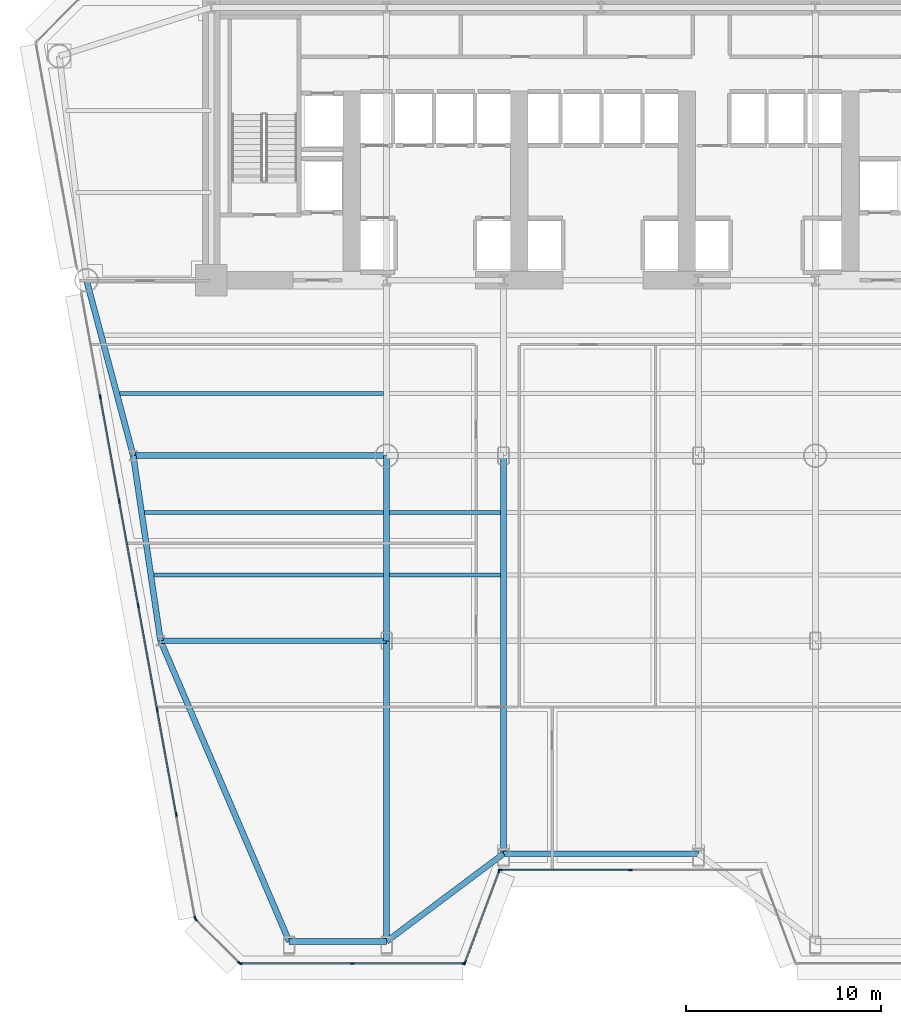
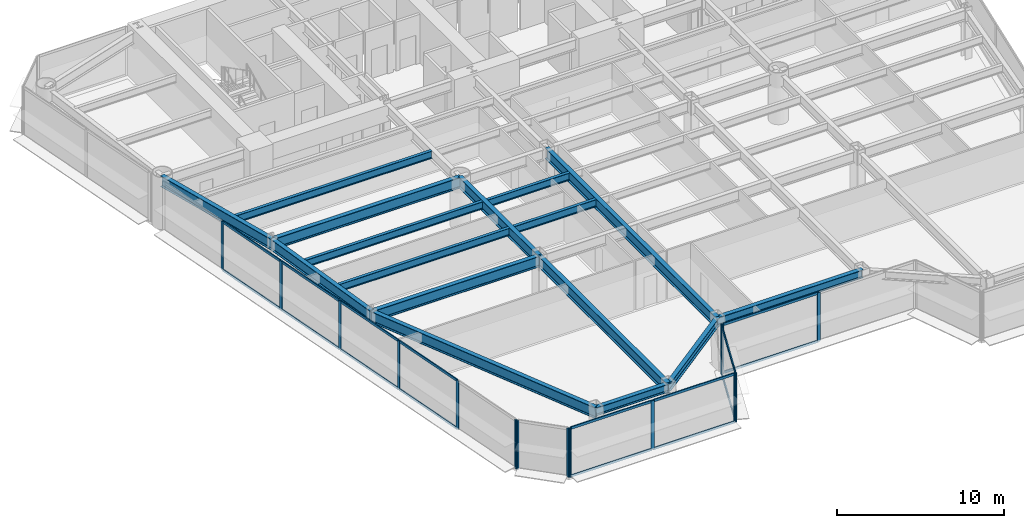
# One storey, part 2 of 14: 31 members, 16 beams, 5 elements without a shape of their own.
"""IFC4 building model written with IfcOpenShell, lengths in metres."""

from ifc_helpers import new_model, si_unit, direction, frame, origin, origin_2d, place, context, subcontext, project, spatial, rectangle, i_section, extrude, source, transform, mapped, material, layer, layer_set, material_profile, profile_set, type_object, element, aggregate, save


model = new_model("IFC4")

# Units and contexts
model_context = context("Model", 3, precision=1e-05, world=origin(), true_north=direction((0.0, 1.0)))
body_context = subcontext(model_context, "Body", "Model", "MODEL_VIEW")
ifc_project = project(units=[si_unit("LENGTHUNIT", "METRE"), si_unit("AREAUNIT", "SQUARE_METRE"), si_unit("VOLUMEUNIT", "CUBIC_METRE"), si_unit("PLANEANGLEUNIT", "RADIAN"), si_unit("MASSUNIT", "GRAM", prefix="KILO")], contexts=[model_context])

# Site, building, storey
site_placement = place(None, origin())
site = spatial("IfcSite", under=ifc_project, at=site_placement, CompositionType="ELEMENT")
building_placement = place(site_placement, origin())
building = spatial("IfcBuilding", under=site, at=building_placement, Name="Vaeldorn Concourse Tower", CompositionType="ELEMENT")
storey_placement = place(building_placement, frame((0.0, 0.0, 41.60009765625)))
storey = spatial("IfcBuildingStorey", under=building, at=storey_placement, Name="L10", CompositionType="ELEMENT", Elevation=41.60009765625)

# Beams
ifc_material_1 = material(Name="Steel S355", Category="steel")
ifc_material_profile_1 = material_profile(ifc_material_1, i_section(OverallWidth=0.300048828125, OverallDepth=0.800048828125, WebThickness=0.017578125, FlangeThickness=0.032958984375, FilletRadius=0.030029296875, at=origin_2d()), Name="HEB 800")
ifc_profile_set_1 = profile_set([ifc_material_profile_1], Name="Steel S355")
beam_type_1 = type_object("IfcBeamType", Name="BM-PG-HEB800", PredefinedType="BEAM", material=ifc_profile_set_1)
shared_shape_1 = source(origin(), body_context, "Body", "SweptSolid", [
    extrude(i_section(OverallWidth=0.300048828125, OverallDepth=0.800048828125, WebThickness=0.017578125, FlangeThickness=0.032958984375, FilletRadius=0.030029296875, at=origin_2d()), origin(), (0.0, 0.0, 1.0), 9.314453125),
])
beam_1_placement = place(storey_placement, frame((7.60009765625, 36.5, 3.179931640625), z_axis=(0.257652862255, -0.966237549763, 0.0), x_axis=(0.966237549763, 0.257652862255, 0.0)))
element("IfcBeam", 1, at=beam_1_placement, inside=storey, type_object=beam_type_1, Name="Beam BM-L10-C-NW2-C-FLW1", PredefinedType="BEAM", context=body_context, shape_type="MappedRepresentation", body=[
    mapped(shared_shape_1, transform((0.0, 0.0, 0.0), scale=1.0)),
])
shared_shape_2 = source(origin(), body_context, "Body", "SweptSolid", [
    extrude(i_section(OverallWidth=0.300048828125, OverallDepth=0.800048828125, WebThickness=0.017578125, FlangeThickness=0.032958984375, FilletRadius=0.030029296875, at=origin_2d()), origin(), (0.0, 0.0, 1.0), 13.0),
])
beam_2_placement = place(storey_placement, frame((10.0, 27.5, 3.179931640625), z_axis=(1.0, 0.0, 0.0), x_axis=(0.0, 1.0, 0.0)))
element("IfcBeam", 2, at=beam_2_placement, inside=storey, type_object=beam_type_1, Name="Beam BM-L10-C-FLW1-C-TW1", PredefinedType="BEAM", context=body_context, shape_type="MappedRepresentation", body=[
    mapped(shared_shape_2, transform((0.0, 0.0, 0.0), scale=1.0)),
])
ifc_material_profile_2 = material_profile(ifc_material_1, i_section(OverallWidth=0.300048828125, OverallDepth=0.60009765625, WebThickness=0.015380859375, FlangeThickness=0.030029296875, FilletRadius=0.027099609375, at=origin_2d()), Name="HEB 600")
ifc_profile_set_2 = profile_set([ifc_material_profile_2], Name="Steel S355")
beam_type_2 = type_object("IfcBeamType", Name="BM-SP-HEB600", PredefinedType="SPANDREL", material=ifc_profile_set_2)
shared_shape_3 = source(origin(), body_context, "Body", "SweptSolid", [
    extrude(i_section(OverallWidth=0.300048828125, OverallDepth=0.60009765625, WebThickness=0.015380859375, FlangeThickness=0.030029296875, FilletRadius=0.027099609375, at=origin_2d()), origin(), (0.0, 0.0, 1.0), 5.0),
])
beam_3_placement = place(storey_placement, frame((18.0, 2.573486328125, 3.27978515625), z_axis=(1.0, 0.0, 0.0), x_axis=(0.0, 1.0, 0.0)))
element("IfcBeam", 3, at=beam_3_placement, inside=storey, type_object=beam_type_2, Name="Beam BM-L10-C-SF1-C-SF2", PredefinedType="SPANDREL", context=body_context, shape_type="MappedRepresentation", body=[
    mapped(shared_shape_3, transform((0.0, 0.0, 0.0), scale=1.0)),
])
shared_shape_4 = source(origin(), body_context, "Body", "SweptSolid", [
    extrude(i_section(OverallWidth=0.300048828125, OverallDepth=0.60009765625, WebThickness=0.015380859375, FlangeThickness=0.030029296875, FilletRadius=0.027099609375, at=origin_2d()), origin(), (0.0, 0.0, 1.0), 7.5),
])
beam_4_placement = place(storey_placement, frame((23.0, 2.573486328125, 3.27978515625), z_axis=(0.8, 0.6, 0.0), x_axis=(-0.6, 0.8, 0.0)))
element("IfcBeam", 4, at=beam_4_placement, inside=storey, type_object=beam_type_2, Name="Beam BM-L10-C-SF2-C-SF3", PredefinedType="SPANDREL", context=body_context, shape_type="MappedRepresentation", body=[
    mapped(shared_shape_4, transform((0.0, 0.0, 0.0), scale=1.0)),
])
shared_shape_5 = source(origin(), body_context, "Body", "SweptSolid", [
    extrude(i_section(OverallWidth=0.300048828125, OverallDepth=0.60009765625, WebThickness=0.015380859375, FlangeThickness=0.030029296875, FilletRadius=0.027099609375, at=origin_2d()), origin(), (0.0, 0.0, 1.0), 10.0),
])
beam_5_placement = place(storey_placement, frame((29.0, 7.073486328125, 3.27978515625), z_axis=(1.0, 0.0, 0.0), x_axis=(0.0, 1.0, 0.0)))
element("IfcBeam", 5, at=beam_5_placement, inside=storey, type_object=beam_type_2, Name="Beam BM-L10-C-SF3-C-SF4", PredefinedType="SPANDREL", context=body_context, shape_type="MappedRepresentation", body=[
    mapped(shared_shape_5, transform((0.0, 0.0, 0.0), scale=1.0)),
])
shared_shape_6 = source(origin(), body_context, "Body", "SweptSolid", [
    extrude(i_section(OverallWidth=0.300048828125, OverallDepth=0.800048828125, WebThickness=0.017578125, FlangeThickness=0.032958984375, FilletRadius=0.030029296875, at=origin_2d()), origin(), (0.0, 0.0, 1.0), 9.6025390625),
])
beam_6_placement = place(storey_placement, frame((10.0, 27.5, 3.179931640625), z_axis=(0.145783835977, -0.989316467652, 0.0), x_axis=(0.989316467652, 0.145783835977, 0.0)))
element("IfcBeam", 6, at=beam_6_placement, inside=storey, type_object=beam_type_1, Name="Beam BM-L10-C-FLW1-C-FLW2", PredefinedType="BEAM", context=body_context, shape_type="MappedRepresentation", body=[
    mapped(shared_shape_6, transform((0.0, 0.0, 0.0), scale=1.0)),
])
shared_shape_7 = source(origin(), body_context, "Body", "SweptSolid", [
    extrude(i_section(OverallWidth=0.300048828125, OverallDepth=0.800048828125, WebThickness=0.017578125, FlangeThickness=0.032958984375, FilletRadius=0.030029296875, at=origin_2d()), origin(), (0.0, 0.0, 1.0), 11.60009765625),
])
beam_7_placement = place(storey_placement, frame((11.39990234375, 18.0, 3.179931640625), z_axis=(1.0, 0.0, 0.0), x_axis=(0.0, 1.0, 0.0)))
element("IfcBeam", 7, at=beam_7_placement, inside=storey, type_object=beam_type_1, Name="Beam BM-L10-C-FLW2-C-TW5", PredefinedType="BEAM", context=body_context, shape_type="MappedRepresentation", body=[
    mapped(shared_shape_7, transform((0.0, 0.0, 0.0), scale=1.0)),
])
shared_shape_8 = source(origin(), body_context, "Body", "SweptSolid", [
    extrude(i_section(OverallWidth=0.300048828125, OverallDepth=0.800048828125, WebThickness=0.017578125, FlangeThickness=0.032958984375, FilletRadius=0.030029296875, at=origin_2d()), origin(), (0.0, 0.0, 1.0), 9.5),
])
beam_8_placement = place(storey_placement, frame((23.0, 18.0, 3.179931640625), z_axis=(0.0, 1.0, 0.0), x_axis=(-1.0, 0.0, 0.0)))
element("IfcBeam", 8, at=beam_8_placement, inside=storey, type_object=beam_type_1, Name="Beam BM-L10-C-TW5-C-TW1", PredefinedType="BEAM", context=body_context, shape_type="MappedRepresentation", body=[
    mapped(shared_shape_8, transform((0.0, 0.0, 0.0), scale=1.0)),
])
ifc_material_profile_3 = material_profile(ifc_material_1, i_section(OverallWidth=0.2099609375, OverallDepth=0.550048828125, WebThickness=0.010986328125, FlangeThickness=0.01708984375, FilletRadius=0.02392578125, at=origin_2d()), Name="IPE 550")
ifc_profile_set_3 = profile_set([ifc_material_profile_3], Name="Steel S355")
beam_type_3 = type_object("IfcBeamType", Name="BM-JS-IPE550", PredefinedType="JOIST", material=ifc_profile_set_3)
shared_shape_9 = source(origin(), body_context, "Body", "SweptSolid", [
    extrude(i_section(OverallWidth=0.2099609375, OverallDepth=0.550048828125, WebThickness=0.010986328125, FlangeThickness=0.01708984375, FilletRadius=0.02392578125, at=origin_2d()), origin(), (0.0, 0.0, 1.0), 5.7001953125),
])
for number, where, z_axis, x_axis, name in (
    (9, (23.14990234375, 21.3798828125, 3.304931640625), (1.0, 0.0, 0.0), (0.0, 1.0, 0.0), "Beam JS-L10-W2-213"),
    (10, (23.14990234375, 24.580078125, 3.304931640625), (1.0, 0.0, 0.0), (0.0, 1.0, 0.0), "Beam JS-L10-W2-245"),
):
    element("IfcBeam", number, at=place(storey_placement, frame(where, z_axis=z_axis, x_axis=x_axis)), inside=storey, type_object=beam_type_3, Name=name, PredefinedType="JOIST", context=body_context, shape_type="MappedRepresentation", body=[
        mapped(shared_shape_9, transform((0.0, 0.0, 0.0), scale=1.0)),
    ])
shared_shape_10 = source(origin(), body_context, "Body", "SweptSolid", [
    extrude(i_section(OverallWidth=0.2099609375, OverallDepth=0.550048828125, WebThickness=0.010986328125, FlangeThickness=0.01708984375, FilletRadius=0.02392578125, at=origin_2d()), origin(), (0.0, 0.0, 1.0), 11.798095703125),
])
beam_9_placement = place(storey_placement, frame((11.052001953125, 21.3798828125, 3.304931640625), z_axis=(1.0, 0.0, 0.0), x_axis=(0.0, 1.0, 0.0)))
element("IfcBeam", 11, at=beam_9_placement, inside=storey, type_object=beam_type_3, Name="Beam JS-L10-W1-213", PredefinedType="JOIST", context=body_context, shape_type="MappedRepresentation", body=[
    mapped(shared_shape_10, transform((0.0, 0.0, 0.0), scale=1.0)),
])
shared_shape_11 = source(origin(), body_context, "Body", "SweptSolid", [
    extrude(i_section(OverallWidth=0.2099609375, OverallDepth=0.550048828125, WebThickness=0.010986328125, FlangeThickness=0.01708984375, FilletRadius=0.02392578125, at=origin_2d()), origin(), (0.0, 0.0, 1.0), 12.269775390625),
])
beam_10_placement = place(storey_placement, frame((10.580322265625, 24.580078125, 3.304931640625), z_axis=(1.0, 0.0, 0.0), x_axis=(0.0, 1.0, 0.0)))
element("IfcBeam", 12, at=beam_10_placement, inside=storey, type_object=beam_type_3, Name="Beam JS-L10-W1-245", PredefinedType="JOIST", context=body_context, shape_type="MappedRepresentation", body=[
    mapped(shared_shape_11, transform((0.0, 0.0, 0.0), scale=1.0)),
])
shared_shape_12 = source(origin(), body_context, "Body", "SweptSolid", [
    extrude(i_section(OverallWidth=0.2099609375, OverallDepth=0.550048828125, WebThickness=0.010986328125, FlangeThickness=0.01708984375, FilletRadius=0.02392578125, at=origin_2d()), origin(), (0.0, 0.0, 1.0), 13.548095703125),
])
beam_11_placement = place(storey_placement, frame((9.302001953125, 30.679931640625, 3.304931640625), z_axis=(1.0, 0.0, 0.0), x_axis=(0.0, 1.0, 0.0)))
element("IfcBeam", 13, at=beam_11_placement, inside=storey, type_object=beam_type_3, Name="Beam JS-L10-W1-306", PredefinedType="JOIST", context=body_context, shape_type="MappedRepresentation", body=[
    mapped(shared_shape_12, transform((0.0, 0.0, 0.0), scale=1.0)),
])
shared_shape_13 = source(origin(), body_context, "Body", "SweptSolid", [
    extrude(i_section(OverallWidth=0.300048828125, OverallDepth=0.800048828125, WebThickness=0.017578125, FlangeThickness=0.032958984375, FilletRadius=0.030029296875, at=origin_2d()), origin(), (0.0, 0.0, 1.0), 16.779052734375),
])
beam_12_placement = place(storey_placement, frame((18.0, 2.573486328125, 3.179931640625), z_axis=(-0.393352013889, 0.919387944869, 0.0), x_axis=(-0.919387944869, -0.393352013889, 0.0)))
element("IfcBeam", 14, at=beam_12_placement, inside=storey, type_object=beam_type_1, Name="Beam BM-L10-C-SF1-C-FLW2", PredefinedType="BEAM", context=body_context, shape_type="MappedRepresentation", body=[
    mapped(shared_shape_13, transform((0.0, 0.0, 0.0), scale=1.0)),
])
shared_shape_14 = source(origin(), body_context, "Body", "SweptSolid", [
    extrude(i_section(OverallWidth=0.300048828125, OverallDepth=0.800048828125, WebThickness=0.017578125, FlangeThickness=0.032958984375, FilletRadius=0.030029296875, at=origin_2d()), origin(), (0.0, 0.0, 1.0), 15.426513671875),
])
beam_13_placement = place(storey_placement, frame((23.0, 2.573486328125, 3.179931640625), z_axis=(0.0, 1.0, 0.0), x_axis=(-1.0, 0.0, 0.0)))
element("IfcBeam", 15, at=beam_13_placement, inside=storey, type_object=beam_type_1, Name="Beam BM-L10-C-SF2-C-TW5", PredefinedType="BEAM", context=body_context, shape_type="MappedRepresentation", body=[
    mapped(shared_shape_14, transform((0.0, 0.0, 0.0), scale=1.0)),
])
shared_shape_15 = source(origin(), body_context, "Body", "SweptSolid", [
    extrude(i_section(OverallWidth=0.300048828125, OverallDepth=0.800048828125, WebThickness=0.017578125, FlangeThickness=0.032958984375, FilletRadius=0.030029296875, at=origin_2d()), origin(), (0.0, 0.0, 1.0), 20.426513671875),
])
beam_14_placement = place(storey_placement, frame((29.0, 7.073486328125, 3.179931640625), z_axis=(0.0, 1.0, 0.0), x_axis=(-1.0, 0.0, 0.0)))
element("IfcBeam", 16, at=beam_14_placement, inside=storey, type_object=beam_type_1, Name="Beam BM-L10-C-SF3-C-TW2", PredefinedType="BEAM", context=body_context, shape_type="MappedRepresentation", body=[
    mapped(shared_shape_15, transform((0.0, 0.0, 0.0), scale=1.0)),
])

# Curtain wall, members
ifc_material_2 = material(Name="Anodised Bronze Aluminium", Category="aluminium")
ifc_layer = layer(ifc_material_2, 0.219970703125)
ifc_layer_set = layer_set([ifc_layer], Name="Anodised Bronze Aluminium")
curtain_wall_type = type_object("IfcCurtainWallType", Name="CW-SYS-01", PredefinedType="NOTDEFINED", material=ifc_layer_set)
curtain_wall_1_placement = place(storey_placement, origin())
curtain_wall_1 = element("IfcCurtainWall", 17, at=curtain_wall_1_placement, inside=storey, type_object=curtain_wall_type, Name="Unitised Curtain Wall CW-L10-E01-1", PredefinedType="NOTDEFINED")
ifc_material_profile_4 = material_profile(ifc_material_2, rectangle(XDim=0.074951171875, YDim=0.219970703125, at=origin_2d()), Name="CWM 75x220")
ifc_profile_set_4 = profile_set([ifc_material_profile_4], Name="Anodised Bronze Aluminium")
member_type_1 = type_object("IfcMemberType", Name="CWM-BRONZE-220", PredefinedType="MULLION", material=ifc_profile_set_4)
shared_shape_16 = source(origin(), body_context, "Body", "SweptSolid", [
    extrude(rectangle(XDim=0.074951171875, YDim=0.219970703125, at=origin_2d()), origin(), (0.0, 0.0, 1.0), 3.579833984375),
])
member_1_placement = place(storey_placement, frame((15.515869140625, 1.4345703125, 0.0), z_axis=(0.0, 0.0, 1.0), x_axis=(0.0, 1.0, 0.0)))
member_1 = element("IfcMember", 18, at=member_1_placement, type_object=member_type_1, Name="CW-01 mullion 1", PredefinedType="MULLION", context=body_context, shape_type="MappedRepresentation", body=[
    mapped(shared_shape_16, transform((0.0, 0.0, 0.0), scale=1.0)),
])
member_2_placement = place(storey_placement, frame((21.2392578125, 1.4345703125, 0.0), z_axis=(0.0, 0.0, 1.0), x_axis=(0.0, 1.0, 0.0)))
member_2 = element("IfcMember", 19, at=member_2_placement, type_object=member_type_1, Name="CW-01 mullion 2", PredefinedType="MULLION", context=body_context, shape_type="MappedRepresentation", body=[
    mapped(shared_shape_16, transform((0.0, 0.0, 0.0), scale=1.0)),
])
member_3_placement = place(storey_placement, frame((26.96240234375, 1.4345703125, 0.0), z_axis=(0.0, 0.0, 1.0), x_axis=(0.0, 1.0, 0.0)))
member_3 = element("IfcMember", 20, at=member_3_placement, type_object=member_type_1, Name="CW-01 mullion 3", PredefinedType="MULLION", context=body_context, shape_type="MappedRepresentation", body=[
    mapped(shared_shape_16, transform((0.0, 0.0, 0.0), scale=1.0)),
])

curtain_wall_2_placement = place(storey_placement, origin())
curtain_wall_2 = element("IfcCurtainWall", 21, at=curtain_wall_2_placement, inside=storey, type_object=curtain_wall_type, Name="Unitised Curtain Wall CW-L10-E02-1", PredefinedType="NOTDEFINED")
member_4_placement = place(storey_placement, frame((27.01318359375, 1.4697265625, 0.0), z_axis=(0.0, 0.0, 1.0), x_axis=(-0.936329177566, 0.351123441595, 0.0)))
member_4 = element("IfcMember", 22, at=member_4_placement, type_object=member_type_1, Name="CW-01 mullion 1", PredefinedType="MULLION", context=body_context, shape_type="MappedRepresentation", body=[
    mapped(shared_shape_16, transform((0.0, 0.0, 0.0), scale=1.0)),
])
member_5_placement = place(storey_placement, frame((28.786865234375, 6.199462890625, 0.0), z_axis=(0.0, 0.0, 1.0), x_axis=(-0.936329177566, 0.351123441595, 0.0)))
member_5 = element("IfcMember", 23, at=member_5_placement, type_object=member_type_1, Name="CW-01 mullion 2", PredefinedType="MULLION", context=body_context, shape_type="MappedRepresentation", body=[
    mapped(shared_shape_16, transform((0.0, 0.0, 0.0), scale=1.0)),
])

curtain_wall_3_placement = place(storey_placement, origin())
curtain_wall_3 = element("IfcCurtainWall", 24, at=curtain_wall_3_placement, inside=storey, type_object=curtain_wall_type, Name="Unitised Curtain Wall CW-L10-E03-1", PredefinedType="NOTDEFINED")
member_6_placement = place(storey_placement, frame((28.83740234375, 6.234619140625, 0.0), z_axis=(0.0, 0.0, 1.0), x_axis=(0.0, 1.0, 0.0)))
member_6 = element("IfcMember", 25, at=member_6_placement, type_object=member_type_1, Name="CW-01 mullion 1", PredefinedType="MULLION", context=body_context, shape_type="MappedRepresentation", body=[
    mapped(shared_shape_16, transform((0.0, 0.0, 0.0), scale=1.0)),
])
member_7_placement = place(storey_placement, frame((35.5, 6.234619140625, 0.0), z_axis=(0.0, 0.0, 1.0), x_axis=(0.0, 1.0, 0.0)))
member_7 = element("IfcMember", 26, at=member_7_placement, type_object=member_type_1, Name="CW-01 mullion 2", PredefinedType="MULLION", context=body_context, shape_type="MappedRepresentation", body=[
    mapped(shared_shape_16, transform((0.0, 0.0, 0.0), scale=1.0)),
])

curtain_wall_4_placement = place(storey_placement, origin())
curtain_wall_4 = element("IfcCurtainWall", 27, at=curtain_wall_4_placement, inside=storey, type_object=curtain_wall_type, Name="Unitised Curtain Wall CW-L10-E11-2", PredefinedType="NOTDEFINED")
member_8_placement = place(storey_placement, frame((8.30615234375, 30.52294921875, 0.0), z_axis=(0.0, 0.0, 1.0), x_axis=(0.983859281973, 0.178943883036, 0.0)))
member_8 = element("IfcMember", 28, at=member_8_placement, type_object=member_type_1, Name="CW-01 mullion 2", PredefinedType="MULLION", context=body_context, shape_type="MappedRepresentation", body=[
    mapped(shared_shape_16, transform((0.0, 0.0, 0.0), scale=1.0)),
])
member_9_placement = place(storey_placement, frame((9.280517578125, 25.165283203125, 0.0), z_axis=(0.0, 0.0, 1.0), x_axis=(0.983859281973, 0.178943883036, 0.0)))
member_9 = element("IfcMember", 29, at=member_9_placement, type_object=member_type_1, Name="CW-01 mullion 3", PredefinedType="MULLION", context=body_context, shape_type="MappedRepresentation", body=[
    mapped(shared_shape_16, transform((0.0, 0.0, 0.0), scale=1.0)),
])
member_10_placement = place(storey_placement, frame((10.2548828125, 19.8076171875, 0.0), z_axis=(0.0, 0.0, 1.0), x_axis=(0.983859281973, 0.178943883036, 0.0)))
member_10 = element("IfcMember", 30, at=member_10_placement, type_object=member_type_1, Name="CW-01 mullion 4", PredefinedType="MULLION", context=body_context, shape_type="MappedRepresentation", body=[
    mapped(shared_shape_16, transform((0.0, 0.0, 0.0), scale=1.0)),
])
member_11_placement = place(storey_placement, frame((11.2294921875, 14.449951171875, 0.0), z_axis=(0.0, 0.0, 1.0), x_axis=(0.983859281973, 0.178943883036, 0.0)))
member_11 = element("IfcMember", 31, at=member_11_placement, type_object=member_type_1, Name="CW-01 mullion 5", PredefinedType="MULLION", context=body_context, shape_type="MappedRepresentation", body=[
    mapped(shared_shape_16, transform((0.0, 0.0, 0.0), scale=1.0)),
])
member_12_placement = place(storey_placement, frame((12.203857421875, 9.09228515625, 0.0), z_axis=(0.0, 0.0, 1.0), x_axis=(0.983859281973, 0.178943883036, 0.0)))
member_12 = element("IfcMember", 32, at=member_12_placement, type_object=member_type_1, Name="CW-01 mullion 6", PredefinedType="MULLION", context=body_context, shape_type="MappedRepresentation", body=[
    mapped(shared_shape_16, transform((0.0, 0.0, 0.0), scale=1.0)),
])
member_13_placement = place(storey_placement, frame((13.171630859375, 3.771484375, 0.0), z_axis=(0.0, 0.0, 1.0), x_axis=(0.983859281973, 0.178943883036, 0.0)))
member_13 = element("IfcMember", 33, at=member_13_placement, type_object=member_type_1, Name="CW-01 mullion 7", PredefinedType="MULLION", context=body_context, shape_type="MappedRepresentation", body=[
    mapped(shared_shape_16, transform((0.0, 0.0, 0.0), scale=1.0)),
])

curtain_wall_5_placement = place(storey_placement, origin())
curtain_wall_5 = element("IfcCurtainWall", 34, at=curtain_wall_5_placement, inside=storey, type_object=curtain_wall_type, Name="Unitised Curtain Wall CW-L10-E12-1", PredefinedType="NOTDEFINED")
member_14_placement = place(storey_placement, frame((13.204833984375, 3.7080078125, 0.0), z_axis=(0.0, 0.0, 1.0), x_axis=(0.707106781187, 0.707106781187, 0.0)))
member_14 = element("IfcMember", 35, at=member_14_placement, type_object=member_type_1, Name="CW-01 mullion 1", PredefinedType="MULLION", context=body_context, shape_type="MappedRepresentation", body=[
    mapped(shared_shape_16, transform((0.0, 0.0, 0.0), scale=1.0)),
])
member_15_placement = place(storey_placement, frame((15.451904296875, 1.4609375, 0.0), z_axis=(0.0, 0.0, 1.0), x_axis=(0.707106781187, 0.707106781187, 0.0)))
member_15 = element("IfcMember", 36, at=member_15_placement, type_object=member_type_1, Name="CW-01 mullion 2", PredefinedType="MULLION", context=body_context, shape_type="MappedRepresentation", body=[
    mapped(shared_shape_16, transform((0.0, 0.0, 0.0), scale=1.0)),
])
aggregate(curtain_wall_5, [member_14, member_15])

# Member
ifc_material_profile_5 = material_profile(ifc_material_2, rectangle(XDim=0.074951171875, YDim=0.179931640625, at=origin_2d()), Name="CWT 75x180")
ifc_profile_set_5 = profile_set([ifc_material_profile_5], Name="Anodised Bronze Aluminium")
member_type_2 = type_object("IfcMemberType", Name="CWT-BRONZE-180", PredefinedType="USERDEFINED", material=ifc_profile_set_5)
shared_shape_17 = source(origin(), body_context, "Body", "SweptSolid", [
    extrude(rectangle(XDim=0.074951171875, YDim=0.179931640625, at=origin_2d()), origin(), (0.0, 0.0, 1.0), 6.58740234375),
])
member_16_placement = place(storey_placement, frame((28.875, 6.234619140625, 0.037353515625), z_axis=(1.0, 0.0, 0.0), x_axis=(0.0, 1.0, 0.0)))
member_16 = element("IfcMember", 37, at=member_16_placement, type_object=member_type_2, Name="CW-01 transom 1.1", ObjectType="TRANSOM", PredefinedType="USERDEFINED", context=body_context, shape_type="MappedRepresentation", body=[
    mapped(shared_shape_17, transform((0.0, 0.0, 0.0), scale=1.0)),
])

member_17_placement = place(storey_placement, frame((28.875, 6.234619140625, 3.54248046875), z_axis=(1.0, 0.0, 0.0), x_axis=(0.0, 1.0, 0.0)))
member_17 = element("IfcMember", 38, at=member_17_placement, type_object=member_type_2, Name="CW-01 transom 1.2", ObjectType="TRANSOM", PredefinedType="USERDEFINED", context=body_context, shape_type="MappedRepresentation", body=[
    mapped(shared_shape_17, transform((0.0, 0.0, 0.0), scale=1.0)),
])

aggregate(curtain_wall_3, [member_6, member_7, member_16, member_17])

shared_shape_18 = source(origin(), body_context, "Body", "SweptSolid", [
    extrude(rectangle(XDim=0.074951171875, YDim=0.179931640625, at=origin_2d()), origin(), (0.0, 0.0, 1.0), 4.9765625),
])
member_18_placement = place(storey_placement, frame((27.0263671875, 1.504638671875, 0.037353515625), z_axis=(0.351112688987, 0.936333209724, 0.0), x_axis=(-0.936333209724, 0.351112688987, 0.0)))
member_18 = element("IfcMember", 39, at=member_18_placement, type_object=member_type_2, Name="CW-01 transom 1.1", ObjectType="TRANSOM", PredefinedType="USERDEFINED", context=body_context, shape_type="MappedRepresentation", body=[
    mapped(shared_shape_18, transform((0.0, 0.0, 0.0), scale=1.0)),
])

member_19_placement = place(storey_placement, frame((27.0263671875, 1.504638671875, 3.54248046875), z_axis=(0.351112688987, 0.936333209724, 0.0), x_axis=(-0.936333209724, 0.351112688987, 0.0)))
member_19 = element("IfcMember", 40, at=member_19_placement, type_object=member_type_2, Name="CW-01 transom 1.2", ObjectType="TRANSOM", PredefinedType="USERDEFINED", context=body_context, shape_type="MappedRepresentation", body=[
    mapped(shared_shape_18, transform((0.0, 0.0, 0.0), scale=1.0)),
])

aggregate(curtain_wall_2, [member_4, member_5, member_18, member_19])

shared_shape_19 = source(origin(), body_context, "Body", "SweptSolid", [
    extrude(rectangle(XDim=0.074951171875, YDim=0.179931640625, at=origin_2d()), origin(), (0.0, 0.0, 1.0), 5.6484375),
])
member_20_placement = place(storey_placement, frame((15.55322265625, 1.4345703125, 0.037353515625), z_axis=(1.0, 0.0, 0.0), x_axis=(0.0, 1.0, 0.0)))
member_20 = element("IfcMember", 41, at=member_20_placement, type_object=member_type_2, Name="CW-01 transom 1.1", ObjectType="TRANSOM", PredefinedType="USERDEFINED", context=body_context, shape_type="MappedRepresentation", body=[
    mapped(shared_shape_19, transform((0.0, 0.0, 0.0), scale=1.0)),
])

member_21_placement = place(storey_placement, frame((15.55322265625, 1.4345703125, 3.54248046875), z_axis=(1.0, 0.0, 0.0), x_axis=(0.0, 1.0, 0.0)))
member_21 = element("IfcMember", 42, at=member_21_placement, type_object=member_type_2, Name="CW-01 transom 1.2", ObjectType="TRANSOM", PredefinedType="USERDEFINED", context=body_context, shape_type="MappedRepresentation", body=[
    mapped(shared_shape_19, transform((0.0, 0.0, 0.0), scale=1.0)),
])

member_22_placement = place(storey_placement, frame((21.276611328125, 1.4345703125, 0.037353515625), z_axis=(1.0, 0.0, 0.0), x_axis=(0.0, 1.0, 0.0)))
member_22 = element("IfcMember", 43, at=member_22_placement, type_object=member_type_2, Name="CW-01 transom 2.1", ObjectType="TRANSOM", PredefinedType="USERDEFINED", context=body_context, shape_type="MappedRepresentation", body=[
    mapped(shared_shape_19, transform((0.0, 0.0, 0.0), scale=1.0)),
])

member_23_placement = place(storey_placement, frame((21.276611328125, 1.4345703125, 3.54248046875), z_axis=(1.0, 0.0, 0.0), x_axis=(0.0, 1.0, 0.0)))
member_23 = element("IfcMember", 44, at=member_23_placement, type_object=member_type_2, Name="CW-01 transom 2.2", ObjectType="TRANSOM", PredefinedType="USERDEFINED", context=body_context, shape_type="MappedRepresentation", body=[
    mapped(shared_shape_19, transform((0.0, 0.0, 0.0), scale=1.0)),
])

aggregate(curtain_wall_1, [member_1, member_2, member_3, member_20, member_21, member_22, member_23])

shared_shape_20 = source(origin(), body_context, "Body", "SweptSolid", [
    extrude(rectangle(XDim=0.074951171875, YDim=0.179931640625, at=origin_2d()), origin(), (0.0, 0.0, 1.0), 5.370361328125),
])
member_24_placement = place(storey_placement, frame((8.312744140625, 30.48583984375, 0.037353515625), z_axis=(0.178933444521, -0.983861180468, 0.0), x_axis=(0.983861180468, 0.178933444521, 0.0)))
member_24 = element("IfcMember", 45, at=member_24_placement, type_object=member_type_2, Name="CW-01 transom 2.1", ObjectType="TRANSOM", PredefinedType="USERDEFINED", context=body_context, shape_type="MappedRepresentation", body=[
    mapped(shared_shape_20, transform((0.0, 0.0, 0.0), scale=1.0)),
])

member_25_placement = place(storey_placement, frame((8.312744140625, 30.48583984375, 3.54248046875), z_axis=(0.178933444521, -0.983861180468, 0.0), x_axis=(0.983861180468, 0.178933444521, 0.0)))
member_25 = element("IfcMember", 46, at=member_25_placement, type_object=member_type_2, Name="CW-01 transom 2.2", ObjectType="TRANSOM", PredefinedType="USERDEFINED", context=body_context, shape_type="MappedRepresentation", body=[
    mapped(shared_shape_20, transform((0.0, 0.0, 0.0), scale=1.0)),
])

member_26_placement = place(storey_placement, frame((9.287109375, 25.128173828125, 0.037353515625), z_axis=(0.178977449192, -0.983853176384, 0.0), x_axis=(0.983853176384, 0.178977449192, 0.0)))
member_26 = element("IfcMember", 47, at=member_26_placement, type_object=member_type_2, Name="CW-01 transom 3.1", ObjectType="TRANSOM", PredefinedType="USERDEFINED", context=body_context, shape_type="MappedRepresentation", body=[
    mapped(shared_shape_20, transform((0.0, 0.0, 0.0), scale=1.0)),
])

member_27_placement = place(storey_placement, frame((9.287109375, 25.128173828125, 3.54248046875), z_axis=(0.178977449192, -0.983853176384, 0.0), x_axis=(0.983853176384, 0.178977449192, 0.0)))
member_27 = element("IfcMember", 48, at=member_27_placement, type_object=member_type_2, Name="CW-01 transom 3.2", ObjectType="TRANSOM", PredefinedType="USERDEFINED", context=body_context, shape_type="MappedRepresentation", body=[
    mapped(shared_shape_20, transform((0.0, 0.0, 0.0), scale=1.0)),
])

member_28_placement = place(storey_placement, frame((10.26171875, 19.7705078125, 0.037353515625), z_axis=(0.178933444521, -0.983861180468, 0.0), x_axis=(0.983861180468, 0.178933444521, 0.0)))
member_28 = element("IfcMember", 49, at=member_28_placement, type_object=member_type_2, Name="CW-01 transom 4.1", ObjectType="TRANSOM", PredefinedType="USERDEFINED", context=body_context, shape_type="MappedRepresentation", body=[
    mapped(shared_shape_20, transform((0.0, 0.0, 0.0), scale=1.0)),
])

member_29_placement = place(storey_placement, frame((10.26171875, 19.7705078125, 3.54248046875), z_axis=(0.178933444521, -0.983861180468, 0.0), x_axis=(0.983861180468, 0.178933444521, 0.0)))
member_29 = element("IfcMember", 50, at=member_29_placement, type_object=member_type_2, Name="CW-01 transom 4.2", ObjectType="TRANSOM", PredefinedType="USERDEFINED", context=body_context, shape_type="MappedRepresentation", body=[
    mapped(shared_shape_20, transform((0.0, 0.0, 0.0), scale=1.0)),
])

member_30_placement = place(storey_placement, frame((11.236083984375, 14.412841796875, 0.037353515625), z_axis=(0.178933444521, -0.983861180468, 0.0), x_axis=(0.983861180468, 0.178933444521, 0.0)))
member_30 = element("IfcMember", 51, at=member_30_placement, type_object=member_type_2, Name="CW-01 transom 5.1", ObjectType="TRANSOM", PredefinedType="USERDEFINED", context=body_context, shape_type="MappedRepresentation", body=[
    mapped(shared_shape_20, transform((0.0, 0.0, 0.0), scale=1.0)),
])

member_31_placement = place(storey_placement, frame((11.236083984375, 14.412841796875, 3.54248046875), z_axis=(0.178933444521, -0.983861180468, 0.0), x_axis=(0.983861180468, 0.178933444521, 0.0)))
member_31 = element("IfcMember", 52, at=member_31_placement, type_object=member_type_2, Name="CW-01 transom 5.2", ObjectType="TRANSOM", PredefinedType="USERDEFINED", context=body_context, shape_type="MappedRepresentation", body=[
    mapped(shared_shape_20, transform((0.0, 0.0, 0.0), scale=1.0)),
])

aggregate(curtain_wall_4, [member_8, member_9, member_10, member_11, member_12, member_13, member_24, member_25, member_26, member_27, member_28, member_29, member_30, member_31])

save(model, "model.ifc")
